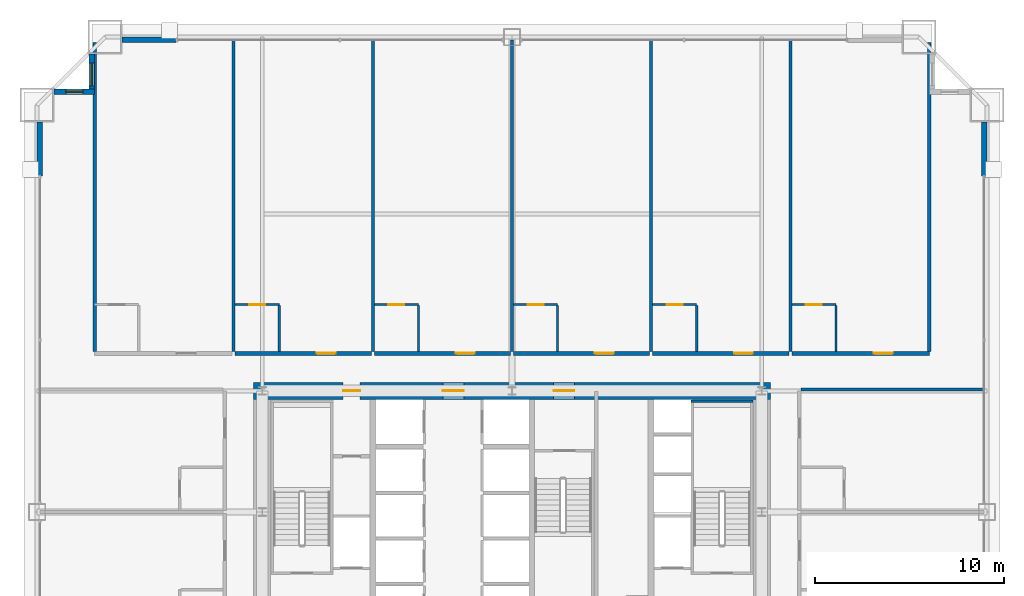
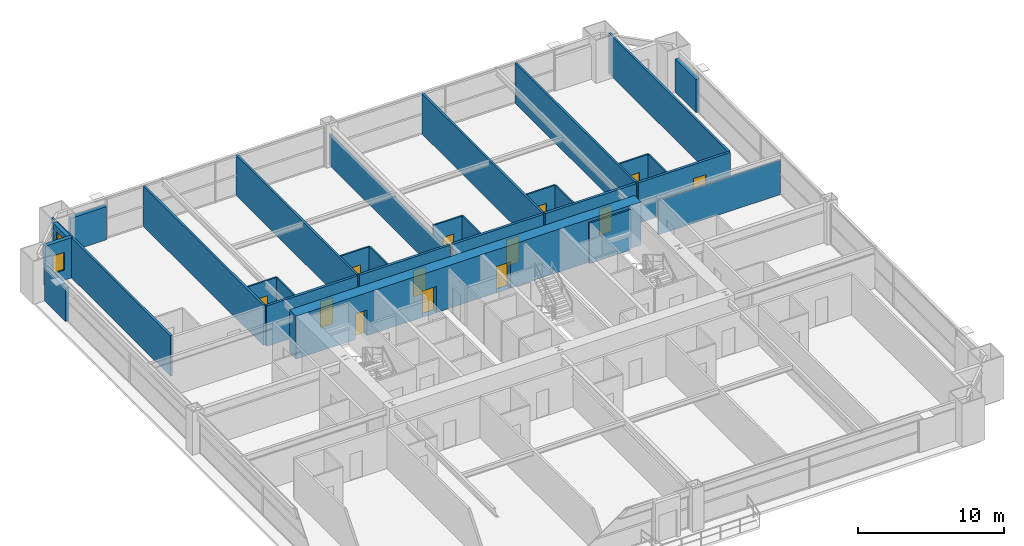
# One storey, part 43 of 45: 30 walls, 13 doors, 2 windows, 15 openings.
"""IFC4 building model written with IfcOpenShell, lengths in metres."""

from ifc_helpers import new_model, si_unit, direction, frame, frame_2d, origin, place, context, subcontext, project, spatial, rectangle, extrude, source, transform, mapped, material, layer, layer_set, type_object, element, fill, save


model = new_model("IFC4")

# Units and contexts
model_context = context("Model", 3, precision=1e-05, world=origin(), true_north=direction((0.0, 1.0)))
body_context = subcontext(model_context, "Body", "Model", "MODEL_VIEW")
ifc_project = project(units=[si_unit("LENGTHUNIT", "METRE"), si_unit("AREAUNIT", "SQUARE_METRE"), si_unit("VOLUMEUNIT", "CUBIC_METRE"), si_unit("PLANEANGLEUNIT", "RADIAN"), si_unit("MASSUNIT", "GRAM", prefix="KILO"), si_unit("THERMODYNAMICTEMPERATUREUNIT", "KELVIN"), si_unit("POWERUNIT", "WATT")], contexts=[model_context])

# Site, building, storey
site_placement = place(None, origin())
site = spatial("IfcSite", under=ifc_project, at=site_placement, CompositionType="ELEMENT")
building_placement = place(site_placement, origin())
building = spatial("IfcBuilding", under=site, at=building_placement, Name="Yuzanri Waterfront Tower", CompositionType="ELEMENT")
storey_placement = place(building_placement, frame((0.0, 0.0, 34.199951171875)))
storey = spatial("IfcBuildingStorey", under=building, at=storey_placement, Name="L08", CompositionType="ELEMENT", Elevation=34.199951171875)

# Wall, opening, door
ifc_material_1 = material(Name="Moisture-Resistant Gypsum Stud Wall", Category="gypsum")
ifc_layer_1 = layer(ifc_material_1, 0.1201171875)
ifc_layer_set_1 = layer_set([ifc_layer_1], Name="Moisture-Resistant Gypsum Stud Wall")
wall_type_1 = type_object("IfcWallType", Name="Bathroom and Kitchen Wet Partition 120", PredefinedType="PARTITIONING", material=ifc_layer_set_1)
wall_1_placement = place(storey_placement, frame((22.373046875, 36.760009765625, 0.0), z_axis=(0.0, 0.0, 1.0), x_axis=(1.0, 0.0, 0.0)))
wall_1 = element("IfcWall", 1, at=wall_1_placement, inside=storey, type_object=wall_type_1, Name="L08 Partition UW-L08-N2-BN", PredefinedType="PARTITIONING", context=body_context, shape_type="SweptSolid", body=[
    extrude(rectangle(XDim=2.329833984375, YDim=0.1201171875, at=frame_2d((1.1650390625, 0.0))), origin(), (0.0, 0.0, 1.0), 3.380126953125),
])
opening_1_placement = place(wall_1_placement, frame((0.739990234375, 0.0, 0.0)))
opening_1 = element("IfcOpeningElement", 2, at=opening_1_placement, cuts=wall_1, Name="Opening ID-0850", PredefinedType="OPENING", context=body_context, shape_type="SweptSolid", body=[
    extrude(rectangle(XDim=0.85009765625, YDim=2.10009765625, at=frame_2d((0.425048828125, 1.050048828125))), frame((0.0, 0.074951171875, 0.0), z_axis=(0.0, -1.0, 0.0), x_axis=(1.0, 0.0, 0.0)), (0.0, 0.0, 1.0), 0.14990234375),
])
ifc_material_2 = material(Name="Moisture-Resistant Lacquered Timber", Category="wood")
door_type_1 = type_object("IfcDoorType", Name="En-Suite Bathroom and Kitchen Swing Door 850x2100", OperationType="NOTDEFINED", PredefinedType="DOOR", material=ifc_material_2)
shared_shape_1 = source(origin(), body_context, "Body", "SweptSolid", [
    extrude(rectangle(XDim=0.85009765625, YDim=2.10009765625, at=frame_2d((0.425048828125, 1.050048828125))), frame((0.0, 0.02490234375, 0.0), z_axis=(0.0, -1.0, 0.0), x_axis=(1.0, 0.0, 0.0)), (0.0, 0.0, 1.0), 0.050048828125),
])
door_1_placement = place(opening_1_placement, origin())
door_1 = element("IfcDoor", 3, at=door_1_placement, inside=storey, type_object=door_type_1, Name="L08 Guest En-Suite Door", OperationType="SINGLE_SWING_LEFT", OverallHeight=2.10009765625, OverallWidth=0.85009765625, PredefinedType="DOOR", context=body_context, shape_type="MappedRepresentation", body=[
    mapped(shared_shape_1, transform((0.0, 0.0, 0.0), scale=1.0)),
])
fill(opening_1, door_1)

wall_2_placement = place(storey_placement, frame((29.72705078125, 36.760009765625, 0.0), z_axis=(0.0, 0.0, 1.0), x_axis=(1.0, 0.0, 0.0)))
wall_2 = element("IfcWall", 4, at=wall_2_placement, inside=storey, type_object=wall_type_1, Name="L08 Partition UW-L08-N3-BN", PredefinedType="PARTITIONING", context=body_context, shape_type="SweptSolid", body=[
    extrude(rectangle(XDim=2.329833984375, YDim=0.1201171875, at=frame_2d((1.1650390625, 0.0))), origin(), (0.0, 0.0, 1.0), 3.380126953125),
])
opening_2_placement = place(wall_2_placement, frame((0.739990234375, 0.0, 0.0)))
opening_2 = element("IfcOpeningElement", 5, at=opening_2_placement, cuts=wall_2, Name="Opening ID-0850", PredefinedType="OPENING", context=body_context, shape_type="SweptSolid", body=[
    extrude(rectangle(XDim=0.85009765625, YDim=2.10009765625, at=frame_2d((0.425048828125, 1.050048828125))), frame((0.0, 0.074951171875, 0.0), z_axis=(0.0, -1.0, 0.0), x_axis=(1.0, 0.0, 0.0)), (0.0, 0.0, 1.0), 0.14990234375),
])
door_2_placement = place(opening_2_placement, origin())
door_2 = element("IfcDoor", 6, at=door_2_placement, inside=storey, type_object=door_type_1, Name="L08 Guest En-Suite Door", OperationType="SINGLE_SWING_LEFT", OverallHeight=2.10009765625, OverallWidth=0.85009765625, PredefinedType="DOOR", context=body_context, shape_type="MappedRepresentation", body=[
    mapped(shared_shape_1, transform((0.0, 0.0, 0.0), scale=1.0)),
])
fill(opening_2, door_2)

wall_3_placement = place(storey_placement, frame((37.080078125, 36.760009765625, 0.0), z_axis=(0.0, 0.0, 1.0), x_axis=(1.0, 0.0, 0.0)))
wall_3 = element("IfcWall", 7, at=wall_3_placement, inside=storey, type_object=wall_type_1, Name="L08 Partition UW-L08-N4-BN", PredefinedType="PARTITIONING", context=body_context, shape_type="SweptSolid", body=[
    extrude(rectangle(XDim=2.329833984375, YDim=0.1201171875, at=frame_2d((1.1650390625, 0.0))), origin(), (0.0, 0.0, 1.0), 3.380126953125),
])
opening_3_placement = place(wall_3_placement, frame((0.739990234375, 0.0, 0.0)))
opening_3 = element("IfcOpeningElement", 8, at=opening_3_placement, cuts=wall_3, Name="Opening ID-0850", PredefinedType="OPENING", context=body_context, shape_type="SweptSolid", body=[
    extrude(rectangle(XDim=0.85009765625, YDim=2.10009765625, at=frame_2d((0.425048828125, 1.050048828125))), frame((0.0, 0.074951171875, 0.0), z_axis=(0.0, -1.0, 0.0), x_axis=(1.0, 0.0, 0.0)), (0.0, 0.0, 1.0), 0.14990234375),
])
door_3_placement = place(opening_3_placement, origin())
door_3 = element("IfcDoor", 9, at=door_3_placement, inside=storey, type_object=door_type_1, Name="L08 Guest En-Suite Door", OperationType="SINGLE_SWING_LEFT", OverallHeight=2.10009765625, OverallWidth=0.85009765625, PredefinedType="DOOR", context=body_context, shape_type="MappedRepresentation", body=[
    mapped(shared_shape_1, transform((0.0, 0.0, 0.0), scale=1.0)),
])
fill(opening_3, door_3)

wall_4_placement = place(storey_placement, frame((44.43310546875, 36.760009765625, 0.0), z_axis=(0.0, 0.0, 1.0), x_axis=(1.0, 0.0, 0.0)))
wall_4 = element("IfcWall", 10, at=wall_4_placement, inside=storey, type_object=wall_type_1, Name="L08 Partition UW-L08-N5-BN", PredefinedType="PARTITIONING", context=body_context, shape_type="SweptSolid", body=[
    extrude(rectangle(XDim=2.329833984375, YDim=0.1201171875, at=frame_2d((1.1650390625, 0.0))), origin(), (0.0, 0.0, 1.0), 3.380126953125),
])
opening_4_placement = place(wall_4_placement, frame((0.739990234375, 0.0, 0.0)))
opening_4 = element("IfcOpeningElement", 11, at=opening_4_placement, cuts=wall_4, Name="Opening ID-0850", PredefinedType="OPENING", context=body_context, shape_type="SweptSolid", body=[
    extrude(rectangle(XDim=0.85009765625, YDim=2.10009765625, at=frame_2d((0.425048828125, 1.050048828125))), frame((0.0, 0.074951171875, 0.0), z_axis=(0.0, -1.0, 0.0), x_axis=(1.0, 0.0, 0.0)), (0.0, 0.0, 1.0), 0.14990234375),
])
door_4_placement = place(opening_4_placement, origin())
door_4 = element("IfcDoor", 12, at=door_4_placement, inside=storey, type_object=door_type_1, Name="L08 Guest En-Suite Door", OperationType="SINGLE_SWING_LEFT", OverallHeight=2.10009765625, OverallWidth=0.85009765625, PredefinedType="DOOR", context=body_context, shape_type="MappedRepresentation", body=[
    mapped(shared_shape_1, transform((0.0, 0.0, 0.0), scale=1.0)),
])
fill(opening_4, door_4)

wall_5_placement = place(storey_placement, frame((51.787109375, 36.760009765625, 0.0), z_axis=(0.0, 0.0, 1.0), x_axis=(1.0, 0.0, 0.0)))
wall_5 = element("IfcWall", 13, at=wall_5_placement, inside=storey, type_object=wall_type_1, Name="L08 Partition UW-L08-N6-BN", PredefinedType="PARTITIONING", context=body_context, shape_type="SweptSolid", body=[
    extrude(rectangle(XDim=2.329833984375, YDim=0.1201171875, at=frame_2d((1.1650390625, 0.0))), origin(), (0.0, 0.0, 1.0), 3.380126953125),
])
opening_5_placement = place(wall_5_placement, frame((0.739990234375, 0.0, 0.0)))
opening_5 = element("IfcOpeningElement", 14, at=opening_5_placement, cuts=wall_5, Name="Opening ID-0850", PredefinedType="OPENING", context=body_context, shape_type="SweptSolid", body=[
    extrude(rectangle(XDim=0.85009765625, YDim=2.10009765625, at=frame_2d((0.425048828125, 1.050048828125))), frame((0.0, 0.074951171875, 0.0), z_axis=(0.0, -1.0, 0.0), x_axis=(1.0, 0.0, 0.0)), (0.0, 0.0, 1.0), 0.14990234375),
])
door_5_placement = place(opening_5_placement, origin())
door_5 = element("IfcDoor", 15, at=door_5_placement, inside=storey, type_object=door_type_1, Name="L08 Guest En-Suite Door", OperationType="SINGLE_SWING_LEFT", OverallHeight=2.10009765625, OverallWidth=0.85009765625, PredefinedType="DOOR", context=body_context, shape_type="MappedRepresentation", body=[
    mapped(shared_shape_1, transform((0.0, 0.0, 0.0), scale=1.0)),
])
fill(opening_5, door_5)

# Wall, opening, window
ifc_material_3 = material(Name="Honed Chongqing Dark Basalt Stone", Category="masonry")
ifc_layer_2 = layer(ifc_material_3, 0.300048828125)
ifc_layer_set_2 = layer_set([ifc_layer_2], Name="Honed Chongqing Dark Basalt Stone")
wall_type_2 = type_object("IfcWallType", Name="Bronze Rainscreen Insulated Spandrel Portal Wall 300", PredefinedType="SOLIDWALL", material=ifc_layer_set_2)
wall_6_placement = place(storey_placement, frame((14.949951171875, 48.0, 0.0), z_axis=(0.0, 0.0, 1.0), x_axis=(-1.0, 0.0, 0.0)))
wall_6 = element("IfcWall", 16, at=wall_6_placement, inside=storey, type_object=wall_type_2, Name="L08 Notched Corner Masonry Wall NW-X", PredefinedType="SOLIDWALL", context=body_context, shape_type="SweptSolid", body=[
    extrude(rectangle(XDim=2.14990234375, YDim=0.300048828125, at=frame_2d((1.074951171875, 0.0))), origin(), (0.0, 0.0, 1.0), 3.380126953125),
])
opening_6_placement = place(wall_6_placement, frame((0.625, 0.0, 0.85009765625)))
opening_6 = element("IfcOpeningElement", 17, at=opening_6_placement, cuts=wall_6, Name="Opening WN-05", PredefinedType="OPENING", context=body_context, shape_type="SweptSolid", body=[
    extrude(rectangle(XDim=0.89990234375, YDim=1.5, at=frame_2d((0.449951171875, 0.75))), frame((0.0, 0.1650390625, 0.0), z_axis=(0.0, -1.0, 0.0), x_axis=(1.0, 0.0, 0.0)), (0.0, 0.0, 1.0), 0.329833984375),
])
ifc_material_4 = material(Name="Double-Silver Low-E Insulated Glass", Category="glass")
window_type_1 = type_object("IfcWindowType", Name="Anodized Bronze Service and Stairwell Smoke-Vent Window 900x1500", PartitioningType="SINGLE_PANEL", PredefinedType="WINDOW", material=ifc_material_4)
shared_shape_2 = source(origin(), body_context, "Body", "SweptSolid", [
    extrude(rectangle(XDim=0.89990234375, YDim=1.5, at=frame_2d((0.449951171875, 0.75))), frame((0.0, 0.030029296875, 0.0), z_axis=(0.0, -1.0, 0.0), x_axis=(1.0, 0.0, 0.0)), (0.0, 0.0, 1.0), 0.06005859375),
])
window_1_placement = place(opening_6_placement, origin())
window_1 = element("IfcWindow", 18, at=window_1_placement, inside=storey, type_object=window_type_1, Name="L08 Notched Corner Window NW-X", OverallHeight=1.5, OverallWidth=0.89990234375, PartitioningType="SINGLE_PANEL", PredefinedType="WINDOW", context=body_context, shape_type="MappedRepresentation", body=[
    mapped(shared_shape_2, transform((0.0, 0.0, 0.0), scale=1.0)),
])
fill(opening_6, window_1)

wall_7_placement = place(storey_placement, frame((14.800048828125, 50.0, 0.0), z_axis=(0.0, 0.0, 1.0), x_axis=(0.0, -1.0, 0.0)))
wall_7 = element("IfcWall", 19, at=wall_7_placement, inside=storey, type_object=wall_type_2, Name="L08 Notched Corner Masonry Wall NW-Y", PredefinedType="SOLIDWALL", context=body_context, shape_type="SweptSolid", body=[
    extrude(rectangle(XDim=2.14990234375, YDim=0.300048828125, at=frame_2d((1.074951171875, 0.0))), origin(), (0.0, 0.0, 1.0), 3.380126953125),
])
opening_7_placement = place(wall_7_placement, frame((0.47509765625, 0.0, 0.85009765625)))
opening_7 = element("IfcOpeningElement", 20, at=opening_7_placement, cuts=wall_7, Name="Opening WN-02", PredefinedType="OPENING", context=body_context, shape_type="SweptSolid", body=[
    extrude(rectangle(XDim=1.199951171875, YDim=2.10009765625, at=frame_2d((0.60009765625, 1.050048828125))), frame((0.0, 0.1650390625, 0.0), z_axis=(0.0, -1.0, 0.0), x_axis=(1.0, 0.0, 0.0)), (0.0, 0.0, 1.0), 0.329833984375),
])
ifc_material_5 = material(Name="Double-Silver Low-E Insulated Glass", Category="glass")
window_type_2 = type_object("IfcWindowType", Name="Anodized Bronze Notched Corner Deep-Set Slot Window 1200x2100", PartitioningType="SINGLE_PANEL", PredefinedType="WINDOW", material=ifc_material_5)
shared_shape_3 = source(origin(), body_context, "Body", "SweptSolid", [
    extrude(rectangle(XDim=1.199951171875, YDim=2.10009765625, at=frame_2d((0.60009765625, 1.050048828125))), frame((0.0, 0.030029296875, 0.0), z_axis=(0.0, -1.0, 0.0), x_axis=(1.0, 0.0, 0.0)), (0.0, 0.0, 1.0), 0.06005859375),
])
window_2_placement = place(opening_7_placement, origin())
window_2 = element("IfcWindow", 21, at=window_2_placement, inside=storey, type_object=window_type_2, Name="L08 Notched Corner Window NW-Y", OverallHeight=2.10009765625, OverallWidth=1.199951171875, PartitioningType="SINGLE_PANEL", PredefinedType="WINDOW", context=body_context, shape_type="MappedRepresentation", body=[
    mapped(shared_shape_3, transform((0.0, 0.0, 0.0), scale=1.0)),
])
fill(opening_7, window_2)

# Wall, openings, doors
ifc_material_6 = material(Name="Concrete C60", Category="concrete")
ifc_layer_3 = layer(ifc_material_6, 0.89990234375)
ifc_layer_set_3 = layer_set([ifc_layer_3], Name="Concrete C60")
wall_type_3 = type_object("IfcWallType", Name="Concrete C60 Lower Zone Core Shear Wall 900", PredefinedType="SHEAR", material=ifc_layer_set_3)
wall_8_placement = place(storey_placement, frame((23.35009765625, 32.199951171875, 0.0), z_axis=(0.0, 0.0, 1.0), x_axis=(1.0, 0.0, 0.0)))
wall_8 = element("IfcWall", 22, at=wall_8_placement, inside=storey, type_object=wall_type_3, Name="L08 Core North Shear Wall", PredefinedType="SHEAR", context=body_context, shape_type="SweptSolid", body=[
    extrude(rectangle(XDim=27.2998046875, YDim=0.89990234375, at=frame_2d((13.64990234375, 0.0))), origin(), (0.0, 0.0, 1.0), 3.60009765625),
])
opening_8_placement = place(wall_8_placement, frame((4.719970703125, 0.0, 0.0)))
opening_8 = element("IfcOpeningElement", 23, at=opening_8_placement, cuts=wall_8, Name="Opening FD-0900", PredefinedType="OPENING", context=body_context, shape_type="SweptSolid", body=[
    extrude(rectangle(XDim=0.89990234375, YDim=2.14990234375, at=frame_2d((0.449951171875, 1.074951171875))), frame((0.0, 0.46484375, 0.0), z_axis=(0.0, -1.0, 0.0), x_axis=(1.0, 0.0, 0.0)), (0.0, 0.0, 1.0), 0.9296875),
])
opening_9_placement = place(wall_8_placement, frame((10.0, 0.0, 0.0)))
opening_9 = element("IfcOpeningElement", 24, at=opening_9_placement, cuts=wall_8, Name="Opening FD-1100", PredefinedType="OPENING", context=body_context, shape_type="SweptSolid", body=[
    extrude(rectangle(XDim=1.10009765625, YDim=2.199951171875, at=frame_2d((0.550048828125, 1.10009765625))), frame((0.0, 0.46484375, 0.0), z_axis=(0.0, -1.0, 0.0), x_axis=(1.0, 0.0, 0.0)), (0.0, 0.0, 1.0), 0.9296875),
])
opening_10_placement = place(wall_8_placement, frame((15.85009765625, 0.0, 0.0)))
opening_10 = element("IfcOpeningElement", 25, at=opening_10_placement, cuts=wall_8, Name="Opening FD-1100", PredefinedType="OPENING", context=body_context, shape_type="SweptSolid", body=[
    extrude(rectangle(XDim=1.10009765625, YDim=2.199951171875, at=frame_2d((0.550048828125, 1.10009765625))), frame((0.0, 0.46484375, 0.0), z_axis=(0.0, -1.0, 0.0), x_axis=(1.0, 0.0, 0.0)), (0.0, 0.0, 1.0), 0.9296875),
])
ifc_material_7 = material(Name="Painted Galvanized Fire Steel", Category="steel")
door_type_2 = type_object("IfcDoorType", Name="Smoke-Proof Stair and Lobby Fire Door 1100x2200", OperationType="NOTDEFINED", PredefinedType="DOOR", material=ifc_material_7)
shared_shape_4 = source(origin(), body_context, "Body", "SweptSolid", [
    extrude(rectangle(XDim=1.10009765625, YDim=2.199951171875, at=frame_2d((0.550048828125, 1.10009765625))), frame((0.0, 0.02490234375, 0.0), z_axis=(0.0, -1.0, 0.0), x_axis=(1.0, 0.0, 0.0)), (0.0, 0.0, 1.0), 0.050048828125),
])
door_6_placement = place(opening_9_placement, origin())
door_6 = element("IfcDoor", 26, at=door_6_placement, inside=storey, type_object=door_type_2, Name="L08 Central Lift Lobby North Door", OperationType="SINGLE_SWING_LEFT", OverallHeight=2.199951171875, OverallWidth=1.10009765625, PredefinedType="DOOR", context=body_context, shape_type="MappedRepresentation", body=[
    mapped(shared_shape_4, transform((0.0, 0.0, 0.0), scale=1.0)),
])
fill(opening_9, door_6)
door_7_placement = place(opening_10_placement, origin())
door_7 = element("IfcDoor", 27, at=door_7_placement, inside=storey, type_object=door_type_2, Name="L08 North Stair Lobby Door", OperationType="SINGLE_SWING_RIGHT", OverallHeight=2.199951171875, OverallWidth=1.10009765625, PredefinedType="DOOR", context=body_context, shape_type="MappedRepresentation", body=[
    mapped(shared_shape_4, transform((0.0, 0.0, 0.0), scale=1.0)),
])
fill(opening_10, door_7)
ifc_material_8 = material(Name="Painted Galvanized Fire Steel", Category="steel")
door_type_3 = type_object("IfcDoorType", Name="Riser and Service Room Fire Door 900x2150", OperationType="NOTDEFINED", PredefinedType="DOOR", material=ifc_material_8)
shared_shape_5 = source(origin(), body_context, "Body", "SweptSolid", [
    extrude(rectangle(XDim=0.89990234375, YDim=2.14990234375, at=frame_2d((0.449951171875, 1.074951171875))), frame((0.0, 0.02490234375, 0.0), z_axis=(0.0, -1.0, 0.0), x_axis=(1.0, 0.0, 0.0)), (0.0, 0.0, 1.0), 0.050048828125),
])
door_8_placement = place(opening_8_placement, origin())
door_8 = element("IfcDoor", 28, at=door_8_placement, inside=storey, type_object=door_type_3, Name="L08 Telecom Riser Door", OperationType="SINGLE_SWING_RIGHT", OverallHeight=2.14990234375, OverallWidth=0.89990234375, PredefinedType="DOOR", context=body_context, shape_type="MappedRepresentation", body=[
    mapped(shared_shape_5, transform((0.0, 0.0, 0.0), scale=1.0)),
])
fill(opening_8, door_8)

# Wall, opening, door
ifc_material_9 = material(Name="Autoclaved Aerated Concrete Blockwork", Category="masonry")
ifc_layer_4 = layer(ifc_material_9, 0.199951171875)
ifc_layer_set_4 = layer_set([ifc_layer_4], Name="Autoclaved Aerated Concrete Blockwork")
wall_type_4 = type_object("IfcWallType", Name="Corridor and Unit Party Fire Wall 200", PredefinedType="PARTITIONING", material=ifc_layer_set_4)
wall_9_placement = place(storey_placement, frame((22.373046875, 34.179931640625, 0.0), z_axis=(0.0, 0.0, 1.0), x_axis=(1.0, 0.0, 0.0)))
wall_9 = element("IfcWall", 29, at=wall_9_placement, inside=storey, type_object=wall_type_4, Name="L08 Partition UW-L08-N2-CS", PredefinedType="PARTITIONING", context=body_context, shape_type="SweptSolid", body=[
    extrude(rectangle(XDim=7.19384765625, YDim=0.199951171875, at=frame_2d((3.596923828125, 0.0))), origin(), (0.0, 0.0, 1.0), 3.380126953125),
])
opening_11_placement = place(wall_9_placement, frame((4.302001953125, 0.0, 0.0)))
opening_11 = element("IfcOpeningElement", 30, at=opening_11_placement, cuts=wall_9, Name="Opening FD-1000", PredefinedType="OPENING", context=body_context, shape_type="SweptSolid", body=[
    extrude(rectangle(XDim=1.0, YDim=2.199951171875, at=frame_2d((0.5, 1.10009765625))), frame((0.0, 0.11474609375, 0.0), z_axis=(0.0, -1.0, 0.0), x_axis=(1.0, 0.0, 0.0)), (0.0, 0.0, 1.0), 0.229736328125),
])
ifc_material_10 = material(Name="Engineered Oak Fire-Rated Timber", Category="wood")
door_type_4 = type_object("IfcDoorType", Name="Guestroom and Apartment Entrance Fire Door 1000x2200", OperationType="NOTDEFINED", PredefinedType="DOOR", material=ifc_material_10)
shared_shape_6 = source(origin(), body_context, "Body", "SweptSolid", [
    extrude(rectangle(XDim=1.0, YDim=2.199951171875, at=frame_2d((0.5, 1.10009765625))), frame((0.0, 0.02490234375, 0.0), z_axis=(0.0, -1.0, 0.0), x_axis=(1.0, 0.0, 0.0)), (0.0, 0.0, 1.0), 0.050048828125),
])
door_9_placement = place(opening_11_placement, origin())
door_9 = element("IfcDoor", 31, at=door_9_placement, inside=storey, type_object=door_type_4, Name="L08 Deluxe Cityview Junior Suite Entrance Door", OperationType="SINGLE_SWING_RIGHT", OverallHeight=2.199951171875, OverallWidth=1.0, PredefinedType="DOOR", context=body_context, shape_type="MappedRepresentation", body=[
    mapped(shared_shape_6, transform((0.0, 0.0, 0.0), scale=1.0)),
])
fill(opening_11, door_9)

wall_10_placement = place(storey_placement, frame((29.72705078125, 34.179931640625, 0.0), z_axis=(0.0, 0.0, 1.0), x_axis=(1.0, 0.0, 0.0)))
wall_10 = element("IfcWall", 32, at=wall_10_placement, inside=storey, type_object=wall_type_4, Name="L08 Partition UW-L08-N3-CS", PredefinedType="PARTITIONING", context=body_context, shape_type="SweptSolid", body=[
    extrude(rectangle(XDim=7.19287109375, YDim=0.199951171875, at=frame_2d((3.596435546875, 0.0))), origin(), (0.0, 0.0, 1.0), 3.380126953125),
])
opening_12_placement = place(wall_10_placement, frame((4.302001953125, 0.0, 0.0)))
opening_12 = element("IfcOpeningElement", 33, at=opening_12_placement, cuts=wall_10, Name="Opening FD-1000", PredefinedType="OPENING", context=body_context, shape_type="SweptSolid", body=[
    extrude(rectangle(XDim=1.0, YDim=2.199951171875, at=frame_2d((0.5, 1.10009765625))), frame((0.0, 0.11474609375, 0.0), z_axis=(0.0, -1.0, 0.0), x_axis=(1.0, 0.0, 0.0)), (0.0, 0.0, 1.0), 0.229736328125),
])
door_10_placement = place(opening_12_placement, origin())
door_10 = element("IfcDoor", 34, at=door_10_placement, inside=storey, type_object=door_type_4, Name="L08 Deluxe Cityview Junior Suite Entrance Door", OperationType="SINGLE_SWING_RIGHT", OverallHeight=2.199951171875, OverallWidth=1.0, PredefinedType="DOOR", context=body_context, shape_type="MappedRepresentation", body=[
    mapped(shared_shape_6, transform((0.0, 0.0, 0.0), scale=1.0)),
])
fill(opening_12, door_10)

wall_11_placement = place(storey_placement, frame((37.080078125, 34.179931640625, 0.0), z_axis=(0.0, 0.0, 1.0), x_axis=(1.0, 0.0, 0.0)))
wall_11 = element("IfcWall", 35, at=wall_11_placement, inside=storey, type_object=wall_type_4, Name="L08 Partition UW-L08-N4-CS", PredefinedType="PARTITIONING", context=body_context, shape_type="SweptSolid", body=[
    extrude(rectangle(XDim=7.19287109375, YDim=0.199951171875, at=frame_2d((3.596435546875, 0.0))), origin(), (0.0, 0.0, 1.0), 3.380126953125),
])
opening_13_placement = place(wall_11_placement, frame((4.302001953125, 0.0, 0.0)))
opening_13 = element("IfcOpeningElement", 36, at=opening_13_placement, cuts=wall_11, Name="Opening FD-1000", PredefinedType="OPENING", context=body_context, shape_type="SweptSolid", body=[
    extrude(rectangle(XDim=1.0, YDim=2.199951171875, at=frame_2d((0.5, 1.10009765625))), frame((0.0, 0.11474609375, 0.0), z_axis=(0.0, -1.0, 0.0), x_axis=(1.0, 0.0, 0.0)), (0.0, 0.0, 1.0), 0.229736328125),
])
door_11_placement = place(opening_13_placement, origin())
door_11 = element("IfcDoor", 37, at=door_11_placement, inside=storey, type_object=door_type_4, Name="L08 Deluxe Cityview Junior Suite Entrance Door", OperationType="SINGLE_SWING_RIGHT", OverallHeight=2.199951171875, OverallWidth=1.0, PredefinedType="DOOR", context=body_context, shape_type="MappedRepresentation", body=[
    mapped(shared_shape_6, transform((0.0, 0.0, 0.0), scale=1.0)),
])
fill(opening_13, door_11)

wall_12_placement = place(storey_placement, frame((44.43310546875, 34.179931640625, 0.0), z_axis=(0.0, 0.0, 1.0), x_axis=(1.0, 0.0, 0.0)))
wall_12 = element("IfcWall", 38, at=wall_12_placement, inside=storey, type_object=wall_type_4, Name="L08 Partition UW-L08-N5-CS", PredefinedType="PARTITIONING", context=body_context, shape_type="SweptSolid", body=[
    extrude(rectangle(XDim=7.19384765625, YDim=0.199951171875, at=frame_2d((3.596923828125, 0.0))), origin(), (0.0, 0.0, 1.0), 3.380126953125),
])
opening_14_placement = place(wall_12_placement, frame((4.302001953125, 0.0, 0.0)))
opening_14 = element("IfcOpeningElement", 39, at=opening_14_placement, cuts=wall_12, Name="Opening FD-1000", PredefinedType="OPENING", context=body_context, shape_type="SweptSolid", body=[
    extrude(rectangle(XDim=1.0, YDim=2.199951171875, at=frame_2d((0.5, 1.10009765625))), frame((0.0, 0.11474609375, 0.0), z_axis=(0.0, -1.0, 0.0), x_axis=(1.0, 0.0, 0.0)), (0.0, 0.0, 1.0), 0.229736328125),
])
door_12_placement = place(opening_14_placement, origin())
door_12 = element("IfcDoor", 40, at=door_12_placement, inside=storey, type_object=door_type_4, Name="L08 Deluxe Cityview Junior Suite Entrance Door", OperationType="SINGLE_SWING_RIGHT", OverallHeight=2.199951171875, OverallWidth=1.0, PredefinedType="DOOR", context=body_context, shape_type="MappedRepresentation", body=[
    mapped(shared_shape_6, transform((0.0, 0.0, 0.0), scale=1.0)),
])
fill(opening_14, door_12)

wall_13_placement = place(storey_placement, frame((51.787109375, 34.179931640625, 0.0), z_axis=(0.0, 0.0, 1.0), x_axis=(1.0, 0.0, 0.0)))
wall_13 = element("IfcWall", 41, at=wall_13_placement, inside=storey, type_object=wall_type_4, Name="L08 Partition UW-L08-N6-CS", PredefinedType="PARTITIONING", context=body_context, shape_type="SweptSolid", body=[
    extrude(rectangle(XDim=7.27294921875, YDim=0.199951171875, at=frame_2d((3.636474609375, 0.0))), origin(), (0.0, 0.0, 1.0), 3.380126953125),
])
opening_15_placement = place(wall_13_placement, frame((4.342041015625, 0.0, 0.0)))
opening_15 = element("IfcOpeningElement", 42, at=opening_15_placement, cuts=wall_13, Name="Opening FD-1000", PredefinedType="OPENING", context=body_context, shape_type="SweptSolid", body=[
    extrude(rectangle(XDim=1.0, YDim=2.199951171875, at=frame_2d((0.5, 1.10009765625))), frame((0.0, 0.11474609375, 0.0), z_axis=(0.0, -1.0, 0.0), x_axis=(1.0, 0.0, 0.0)), (0.0, 0.0, 1.0), 0.229736328125),
])
door_13_placement = place(opening_15_placement, origin())
door_13 = element("IfcDoor", 43, at=door_13_placement, inside=storey, type_object=door_type_4, Name="L08 Deluxe Cityview Junior Suite Entrance Door", OperationType="SINGLE_SWING_RIGHT", OverallHeight=2.199951171875, OverallWidth=1.0, PredefinedType="DOOR", context=body_context, shape_type="MappedRepresentation", body=[
    mapped(shared_shape_6, transform((0.0, 0.0, 0.0), scale=1.0)),
])
fill(opening_15, door_13)

# Walls
shared_shape_7 = source(origin(), body_context, "Body", "SweptSolid", [
    extrude(rectangle(XDim=2.85009765625, YDim=0.300048828125, at=frame_2d((1.425048828125, 0.0))), origin(), (0.0, 0.0, 1.0), 2.775146484375),
])
wall_14_placement = place(storey_placement, frame((16.39990234375, 50.75, 0.0), z_axis=(0.0, 0.0, 1.0), x_axis=(1.0, 0.0, 0.0)))
element("IfcWall", 44, at=wall_14_placement, inside=storey, type_object=wall_type_2, Name="L08 N Left Braced Masonry Shoulder", PredefinedType="SOLIDWALL", context=body_context, shape_type="MappedRepresentation", body=[
    mapped(shared_shape_7, transform((0.0, 0.0, 0.0), scale=1.0)),
])
shared_shape_8 = source(origin(), body_context, "Body", "SweptSolid", [
    extrude(rectangle(XDim=2.849853515625, YDim=0.300048828125, at=frame_2d((1.4248046875, 0.0))), origin(), (0.0, 0.0, 1.0), 2.775146484375),
])
for number, where, z_axis, x_axis, name in (
    (45, (12.050048828125, 43.550048828125, 0.0), (0.0, 0.0, 1.0), (0.0, 1.0, 0.0), "L08 W Right Braced Masonry Shoulder"),
    (46, (61.949951171875, 43.550048828125, 0.0), (0.0, 0.0, 1.0), (0.0, 1.0, 0.0), "L08 E Right Braced Masonry Shoulder"),
):
    element("IfcWall", number, at=place(storey_placement, frame(where, z_axis=z_axis, x_axis=x_axis)), inside=storey, type_object=wall_type_2, Name=name, PredefinedType="SOLIDWALL", context=body_context, shape_type="MappedRepresentation", body=[
        mapped(shared_shape_8, transform((0.0, 0.0, 0.0), scale=1.0)),
    ])
ifc_material_11 = material(Name="Gypsum Fireboard Acoustic Stud Wall", Category="gypsum")
ifc_layer_5 = layer(ifc_material_11, 0.159912109375)
ifc_layer_set_5 = layer_set([ifc_layer_5], Name="Gypsum Fireboard Acoustic Stud Wall")
wall_type_5 = type_object("IfcWallType", Name="Acoustic Suite Demising Partition 160", PredefinedType="PARTITIONING", material=ifc_layer_set_5)
shared_shape_9 = source(origin(), body_context, "Body", "SweptSolid", [
    extrude(rectangle(XDim=16.469970703125, YDim=0.159912109375, at=frame_2d((8.23486328125, 0.0))), origin(), (0.0, 0.0, 1.0), 2.574951171875),
])
wall_15_placement = place(storey_placement, frame((37.0, 34.280029296875, 0.0), z_axis=(0.0, 0.0, 1.0), x_axis=(0.0, 1.0, 0.0)))
element("IfcWall", 47, at=wall_15_placement, inside=storey, type_object=wall_type_5, Name="L08-N3 Party Wall", PredefinedType="PARTITIONING", context=body_context, shape_type="MappedRepresentation", body=[
    mapped(shared_shape_9, transform((0.0, 0.0, 0.0), scale=1.0)),
])
shared_shape_10 = source(origin(), body_context, "Body", "SweptSolid", [
    extrude(rectangle(XDim=9.669921875, YDim=0.159912109375, at=frame_2d((4.8349609375, 0.0))), origin(), (0.0, 0.0, 1.0), 2.875),
])
wall_16_placement = place(storey_placement, frame((52.280029296875, 32.27001953125, 0.0), z_axis=(0.0, 0.0, 1.0), x_axis=(1.0, 0.0, 0.0)))
element("IfcWall", 48, at=wall_16_placement, inside=storey, type_object=wall_type_5, Name="L08-E2 Wing North End Wall", PredefinedType="PARTITIONING", context=body_context, shape_type="MappedRepresentation", body=[
    mapped(shared_shape_10, transform((0.0, 0.0, 0.0), scale=1.0)),
])
ifc_material_12 = material(Name="Concrete C40", Category="concrete")
ifc_layer_6 = layer(ifc_material_12, 0.139892578125)
ifc_layer_set_6 = layer_set([ifc_layer_6], Name="Concrete C40")
wall_type_6 = type_object("IfcWallType", Name="Core Stair Liner and Hoistway Shaft Wall 140", PredefinedType="SOLIDWALL", material=ifc_layer_set_6)
shared_shape_11 = source(origin(), body_context, "Body", "SweptSolid", [
    extrude(rectangle(XDim=3.280029296875, YDim=0.139892578125, at=frame_2d((1.64013671875, 0.0))), origin(), (0.0, 0.0, 1.0), 3.380126953125),
])
wall_17_placement = place(storey_placement, frame((46.4599609375, 31.64990234375, 0.0), z_axis=(0.0, 0.0, 1.0), x_axis=(1.0, 0.0, 0.0)))
element("IfcWall", 49, at=wall_17_placement, inside=storey, type_object=wall_type_6, Name="L08 Stair ST-02 North Shaft Wall", PredefinedType="SOLIDWALL", context=body_context, shape_type="MappedRepresentation", body=[
    mapped(shared_shape_11, transform((0.0, 0.0, 0.0), scale=1.0)),
])
shared_shape_12 = source(origin(), body_context, "Body", "SweptSolid", [
    extrude(rectangle(XDim=16.469970703125, YDim=0.159912109375, at=frame_2d((8.23486328125, 0.0))), origin(), (0.0, 0.0, 1.0), 3.380126953125),
])
for number, where, z_axis, x_axis, name in (
    (50, (22.29296875, 34.280029296875, 0.0), (0.0, 0.0, 1.0), (0.0, 1.0, 0.0), "L08-N1 Party Wall"),
    (51, (29.64697265625, 34.280029296875, 0.0), (0.0, 0.0, 1.0), (0.0, 1.0, 0.0), "L08-N2 Party Wall"),
    (52, (44.35302734375, 34.280029296875, 0.0), (0.0, 0.0, 1.0), (0.0, 1.0, 0.0), "L08-N4 Party Wall"),
    (53, (51.70703125, 34.280029296875, 0.0), (0.0, 0.0, 1.0), (0.0, 1.0, 0.0), "L08-N5 Party Wall"),
):
    element("IfcWall", number, at=place(storey_placement, frame(where, z_axis=z_axis, x_axis=x_axis)), inside=storey, type_object=wall_type_5, Name=name, PredefinedType="PARTITIONING", context=body_context, shape_type="MappedRepresentation", body=[
        mapped(shared_shape_12, transform((0.0, 0.0, 0.0), scale=1.0)),
    ])
shared_shape_13 = source(origin(), body_context, "Body", "SweptSolid", [
    extrude(rectangle(XDim=16.320068359375, YDim=0.159912109375, at=frame_2d((8.16015625, 0.0))), origin(), (0.0, 0.0, 1.0), 3.380126953125),
])
for number, where, z_axis, x_axis, name in (
    (54, (14.949951171875, 34.280029296875, 0.0), (0.0, 0.0, 1.0), (0.0, 1.0, 0.0), "L08 North Band West End Wall"),
    (55, (59.050048828125, 34.280029296875, 0.0), (0.0, 0.0, 1.0), (0.0, 1.0, 0.0), "L08 North Band East End Wall"),
):
    element("IfcWall", number, at=place(storey_placement, frame(where, z_axis=z_axis, x_axis=x_axis)), inside=storey, type_object=wall_type_5, Name=name, PredefinedType="PARTITIONING", context=body_context, shape_type="MappedRepresentation", body=[
        mapped(shared_shape_13, transform((0.0, 0.0, 0.0), scale=1.0)),
    ])
shared_shape_14 = source(origin(), body_context, "Body", "SweptSolid", [
    extrude(rectangle(XDim=2.419921875, YDim=0.1201171875, at=frame_2d((1.2099609375, 0.0))), origin(), (0.0, 0.0, 1.0), 3.380126953125),
])
for number, where, z_axis, x_axis, name in (
    (56, (24.702880859375, 34.280029296875, 0.0), (0.0, 0.0, 1.0), (0.0, 1.0, 0.0), "L08-N2 En-Suite Side Wall"),
    (57, (32.056884765625, 34.280029296875, 0.0), (0.0, 0.0, 1.0), (0.0, 1.0, 0.0), "L08-N3 En-Suite Side Wall"),
    (58, (39.409912109375, 34.280029296875, 0.0), (0.0, 0.0, 1.0), (0.0, 1.0, 0.0), "L08-N4 En-Suite Side Wall"),
    (59, (46.762939453125, 34.280029296875, 0.0), (0.0, 0.0, 1.0), (0.0, 1.0, 0.0), "L08-N5 En-Suite Side Wall"),
    (60, (54.116943359375, 34.280029296875, 0.0), (0.0, 0.0, 1.0), (0.0, 1.0, 0.0), "L08-N6 En-Suite Side Wall"),
):
    element("IfcWall", number, at=place(storey_placement, frame(where, z_axis=z_axis, x_axis=x_axis)), inside=storey, type_object=wall_type_1, Name=name, PredefinedType="PARTITIONING", context=body_context, shape_type="MappedRepresentation", body=[
        mapped(shared_shape_14, transform((0.0, 0.0, 0.0), scale=1.0)),
    ])

save(model, "model.ifc")
